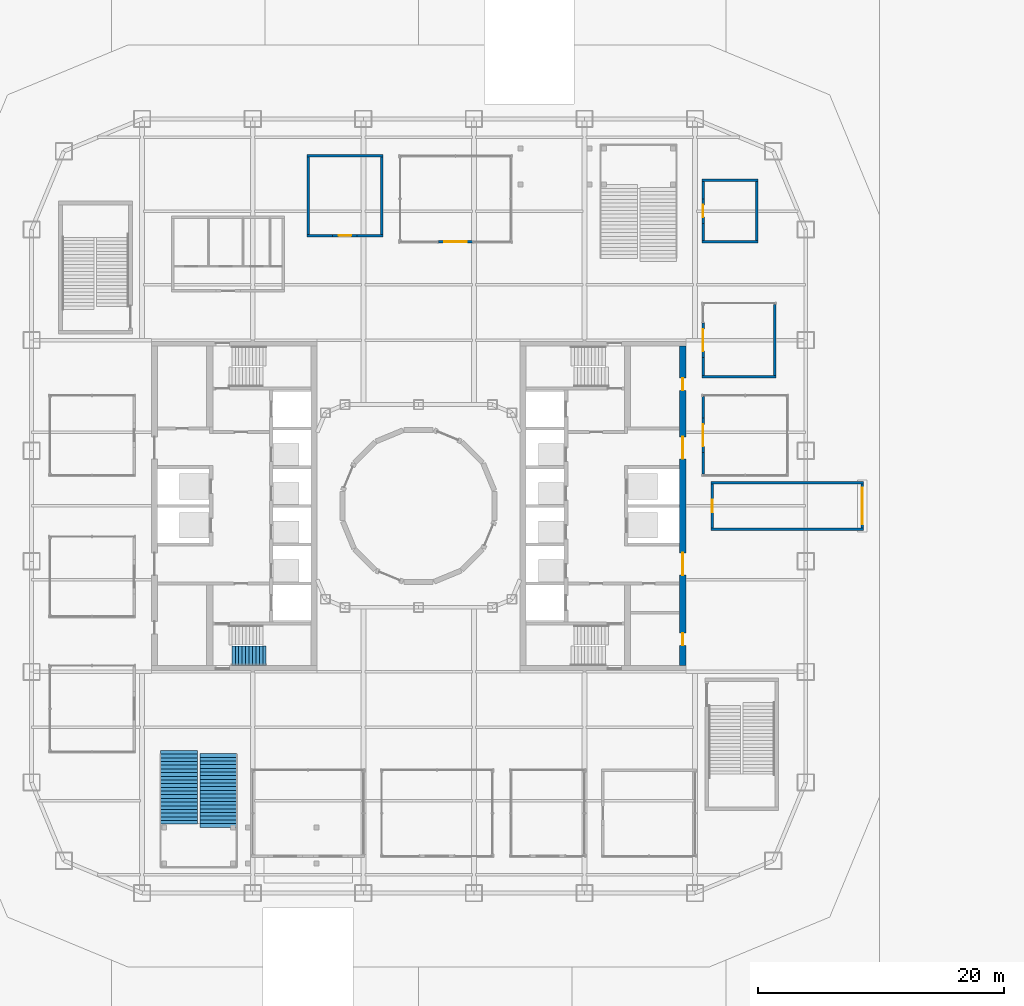
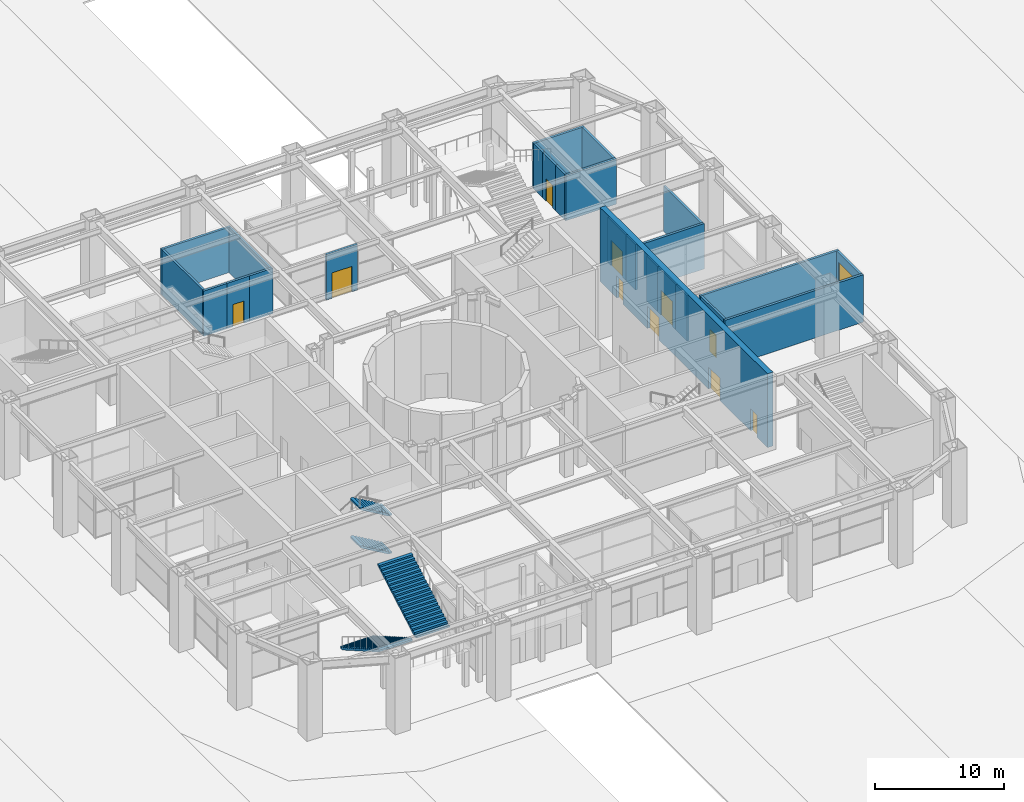
# One storey, part 16 of 20: 25 walls, 11 doors, 4 stair flights, 11 openings, 2 elements without a shape of their own.
"""IFC4 building model written with IfcOpenShell, lengths in metres."""

from ifc_helpers import new_model, si_unit, direction, frame, frame_2d, origin, place, context, subcontext, project, spatial, polyline, rectangle, outline, extrude, material, layer, layer_set, type_object, element, fill, aggregate, save


model = new_model("IFC4")

# Units and contexts
model_context = context("Model", 3, precision=1e-05, world=origin(), true_north=direction((0.0, 1.0)))
body_context = subcontext(model_context, "Body", "Model", "MODEL_VIEW")
ifc_project = project(units=[si_unit("LENGTHUNIT", "METRE"), si_unit("AREAUNIT", "SQUARE_METRE"), si_unit("VOLUMEUNIT", "CUBIC_METRE"), si_unit("PLANEANGLEUNIT", "RADIAN"), si_unit("MASSUNIT", "GRAM", prefix="KILO")], contexts=[model_context])

# Site, building, storey
site_placement = place(None, origin())
site = spatial("IfcSite", under=ifc_project, at=site_placement, CompositionType="ELEMENT")
building_placement = place(site_placement, origin())
building = spatial("IfcBuilding", under=site, at=building_placement, Name="Siwar Civic Tower", CompositionType="ELEMENT")
storey_placement = place(building_placement, origin())
storey = spatial("IfcBuildingStorey", under=building, at=storey_placement, Name="L00", CompositionType="ELEMENT", Elevation=0.0)

# Wall, openings, doors
ifc_material_1 = material(Name="Concrete C60/75", Category="concrete")
ifc_layer_1 = layer(ifc_material_1, 0.5)
ifc_layer_set_1 = layer_set([ifc_layer_1], Name="Concrete C60/75")
wall_type_1 = type_object("IfcWallType", Name="CORE-WALL-RC500-EXT", PredefinedType="SHEAR", material=ifc_layer_set_1)
wall_1_placement = place(storey_placement, frame((21.5, -13.0, 0.0), z_axis=(0.0, 0.0, 1.0), x_axis=(0.0, 1.0, 0.0)))
wall_1 = element("IfcWall", 1, at=wall_1_placement, inside=storey, type_object=wall_type_1, Name="Core wall E", PredefinedType="SHEAR", context=body_context, shape_type="SweptSolid", body=[
    extrude(rectangle(XDim=26.0, YDim=0.5, at=frame_2d((13.0, 0.0))), origin(), (0.0, 0.0, 1.0), 7.0),
])
opening_1_placement = place(wall_1_placement, frame((16.824951171875, 0.0, 0.0)))
opening_1 = element("IfcOpeningElement", 2, at=opening_1_placement, cuts=wall_1, Name="Opening L00-CE05", PredefinedType="OPENING", context=body_context, shape_type="SweptSolid", body=[
    extrude(rectangle(XDim=1.800048828125, YDim=2.10009765625, at=frame_2d((0.89990234375, 1.050048828125))), frame((0.0, 0.260009765625, 0.0), z_axis=(0.0, -1.0, 0.0), x_axis=(1.0, 0.0, 0.0)), (0.0, 0.0, 1.0), 0.52001953125),
])
opening_2_placement = place(wall_1_placement, frame((7.375, 0.0, 0.0)))
opening_2 = element("IfcOpeningElement", 3, at=opening_2_placement, cuts=wall_1, Name="Opening L00-CE06", PredefinedType="OPENING", context=body_context, shape_type="SweptSolid", body=[
    extrude(rectangle(XDim=1.800048828125, YDim=2.10009765625, at=frame_2d((0.89990234375, 1.050048828125))), frame((0.0, 0.260009765625, 0.0), z_axis=(0.0, -1.0, 0.0), x_axis=(1.0, 0.0, 0.0)), (0.0, 0.0, 1.0), 0.52001953125),
])
opening_3_placement = place(wall_1_placement, frame((22.39990234375, 0.0, 0.0)))
opening_3 = element("IfcOpeningElement", 4, at=opening_3_placement, cuts=wall_1, Name="Opening L00-CE17", PredefinedType="OPENING", context=body_context, shape_type="SweptSolid", body=[
    extrude(rectangle(XDim=1.0, YDim=2.10009765625, at=frame_2d((0.5, 1.050048828125))), frame((0.0, 0.260009765625, 0.0), z_axis=(0.0, -1.0, 0.0), x_axis=(1.0, 0.0, 0.0)), (0.0, 0.0, 1.0), 0.52001953125),
])
opening_4_placement = place(wall_1_placement, frame((1.64990234375, 0.0, 0.0)))
opening_4 = element("IfcOpeningElement", 5, at=opening_4_placement, cuts=wall_1, Name="Opening L00-CE19", PredefinedType="OPENING", context=body_context, shape_type="SweptSolid", body=[
    extrude(rectangle(XDim=1.0, YDim=2.10009765625, at=frame_2d((0.5, 1.050048828125))), frame((0.0, 0.260009765625, 0.0), z_axis=(0.0, -1.0, 0.0), x_axis=(1.0, 0.0, 0.0)), (0.0, 0.0, 1.0), 0.52001953125),
])
ifc_material_2 = material(Name="Steel door leaf", Category="steel")
door_type_1 = type_object("IfcDoorType", Name="CORE-DOOR-PORT-EXT", OperationType="DOUBLE_DOOR_DOUBLE_SWING", PredefinedType="DOOR", material=ifc_material_2)
door_1_placement = place(opening_1_placement, frame((1.800048828125, 0.0, 0.0), z_axis=(0.0, 0.0, 1.0), x_axis=(-1.0, 0.0, 0.0)))
door_1 = element("IfcDoor", 6, at=door_1_placement, inside=storey, type_object=door_type_1, Name="Main entrance L00-CE05", OperationType="DOUBLE_DOOR_DOUBLE_SWING", OverallHeight=2.10009765625, OverallWidth=1.800048828125, PredefinedType="DOOR", context=body_context, shape_type="SweptSolid", body=[
    extrude(rectangle(XDim=1.800048828125, YDim=2.10009765625, at=frame_2d((0.900146484375, 1.050048828125))), frame((0.0, 0.025146484375, 0.0), z_axis=(0.0, -1.0, 0.0), x_axis=(1.0, 0.0, 0.0)), (0.0, 0.0, 1.0), 0.050048828125),
])
fill(opening_1, door_1)
door_2_placement = place(opening_2_placement, frame((1.800048828125, 0.0, 0.0), z_axis=(0.0, 0.0, 1.0), x_axis=(-1.0, 0.0, 0.0)))
door_2 = element("IfcDoor", 7, at=door_2_placement, inside=storey, type_object=door_type_1, Name="Main entrance L00-CE06", OperationType="DOUBLE_DOOR_DOUBLE_SWING", OverallHeight=2.10009765625, OverallWidth=1.800048828125, PredefinedType="DOOR", context=body_context, shape_type="SweptSolid", body=[
    extrude(rectangle(XDim=1.800048828125, YDim=2.10009765625, at=frame_2d((0.900146484375, 1.050048828125))), frame((0.0, 0.025146484375, 0.0), z_axis=(0.0, -1.0, 0.0), x_axis=(1.0, 0.0, 0.0)), (0.0, 0.0, 1.0), 0.050048828125),
])
fill(opening_2, door_2)
ifc_material_3 = material(Name="Steel door leaf", Category="steel")
door_type_2 = type_object("IfcDoorType", Name="CORE-DOOR-ROOM-EXT", OperationType="SINGLE_SWING_LEFT", PredefinedType="DOOR", material=ifc_material_3)
door_3_placement = place(opening_3_placement, frame((1.0, 0.0, 0.0), z_axis=(0.0, 0.0, 1.0), x_axis=(-1.0, 0.0, 0.0)))
door_3 = element("IfcDoor", 8, at=door_3_placement, inside=storey, type_object=door_type_2, Name="Core room door L00-CE17", OperationType="SINGLE_SWING_RIGHT", OverallHeight=2.10009765625, OverallWidth=1.0, PredefinedType="DOOR", context=body_context, shape_type="SweptSolid", body=[
    extrude(rectangle(XDim=1.0, YDim=2.10009765625, at=frame_2d((0.5, 1.050048828125))), frame((0.0, 0.025146484375, 0.0), z_axis=(0.0, -1.0, 0.0), x_axis=(1.0, 0.0, 0.0)), (0.0, 0.0, 1.0), 0.050048828125),
])
fill(opening_3, door_3)
door_4_placement = place(opening_4_placement, frame((1.0, 0.0, 0.0), z_axis=(0.0, 0.0, 1.0), x_axis=(-1.0, 0.0, 0.0)))
door_4 = element("IfcDoor", 9, at=door_4_placement, inside=storey, type_object=door_type_2, Name="Core room door L00-CE19", OperationType="SINGLE_SWING_RIGHT", OverallHeight=2.10009765625, OverallWidth=1.0, PredefinedType="DOOR", context=body_context, shape_type="SweptSolid", body=[
    extrude(rectangle(XDim=1.0, YDim=2.10009765625, at=frame_2d((0.5, 1.050048828125))), frame((0.0, 0.025146484375, 0.0), z_axis=(0.0, -1.0, 0.0), x_axis=(1.0, 0.0, 0.0)), (0.0, 0.0, 1.0), 0.050048828125),
])
fill(opening_4, door_4)

# Walls
ifc_material_4 = material(Name="Insulated blockwork", Category="masonry")
ifc_layer_2 = layer(ifc_material_4, 0.199951171875)
ifc_layer_set_2 = layer_set([ifc_layer_2], Name="Insulated blockwork")
wall_type_2 = type_object("IfcWallType", Name="GND-DOCK-WALL", PredefinedType="SOLIDWALL", material=ifc_layer_set_2)
for number, where, z_axis, x_axis, name in (
    (10, (23.800048828125, 1.89990234375, 0.0), (0.0, 0.0, 1.0), (1.0, 0.0, 0.0), "L00/wall/dock-N"),
    (11, (23.800048828125, -1.89990234375, 0.0), (0.0, 0.0, 1.0), (1.0, 0.0, 0.0), "L00/wall/dock-S"),
):
    element("IfcWall", number, at=place(storey_placement, frame(where, z_axis=z_axis, x_axis=x_axis)), inside=storey, type_object=wall_type_2, Name=name, PredefinedType="SOLIDWALL", context=body_context, shape_type="SweptSolid", body=[
        extrude(rectangle(XDim=12.39990234375, YDim=0.199951171875, at=frame_2d((6.199951171875, 0.0))), origin(), (0.0, 0.0, 1.0), 4.5),
    ])

# Wall, opening, door
wall_2_placement = place(storey_placement, frame((23.89990234375, -1.800048828125, 0.0), z_axis=(0.0, 0.0, 1.0), x_axis=(0.0, 1.0, 0.0)))
wall_2 = element("IfcWall", 12, at=wall_2_placement, inside=storey, type_object=wall_type_2, Name="L00/wall/dock-W", PredefinedType="SOLIDWALL", context=body_context, shape_type="SweptSolid", body=[
    extrude(rectangle(XDim=3.60009765625, YDim=0.199951171875, at=frame_2d((1.800048828125, 0.0))), origin(), (0.0, 0.0, 1.0), 4.5),
])
opening_5_placement = place(wall_2_placement, frame((1.300048828125, 0.0, 0.0)))
opening_5 = element("IfcOpeningElement", 13, at=opening_5_placement, cuts=wall_2, Name="Opening GE7", PredefinedType="OPENING", context=body_context, shape_type="SweptSolid", body=[
    extrude(rectangle(XDim=1.0, YDim=2.10009765625, at=frame_2d((0.5, 1.050048828125))), frame((0.0, 0.10986328125, 0.0), z_axis=(0.0, -1.0, 0.0), x_axis=(1.0, 0.0, 0.0)), (0.0, 0.0, 1.0), 0.219970703125),
])
ifc_material_5 = material(Name="Steel", Category="steel")
door_type_3 = type_object("IfcDoorType", Name="GND-DOOR-EXT", OperationType="SINGLE_SWING_LEFT", PredefinedType="DOOR", material=ifc_material_5)
door_5_placement = place(opening_5_placement, origin())
door_5 = element("IfcDoor", 14, at=door_5_placement, inside=storey, type_object=door_type_3, Name="Goods door L00-D19", OperationType="SINGLE_SWING_RIGHT", OverallHeight=2.10009765625, OverallWidth=1.0, PredefinedType="DOOR", context=body_context, shape_type="SweptSolid", body=[
    extrude(rectangle(XDim=1.0, YDim=2.10009765625, at=frame_2d((0.5, 1.050048828125))), frame((0.0, 0.02490234375, 0.0), z_axis=(0.0, -1.0, 0.0), x_axis=(1.0, 0.0, 0.0)), (0.0, 0.0, 1.0), 0.050048828125),
])
fill(opening_5, door_5)

wall_3_placement = place(storey_placement, frame((36.10009765625, -1.800048828125, 0.0), z_axis=(0.0, 0.0, 1.0), x_axis=(0.0, 1.0, 0.0)))
wall_3 = element("IfcWall", 15, at=wall_3_placement, inside=storey, type_object=wall_type_2, Name="L00/wall/dock-E", PredefinedType="SOLIDWALL", context=body_context, shape_type="SweptSolid", body=[
    extrude(rectangle(XDim=3.60009765625, YDim=0.199951171875, at=frame_2d((1.800048828125, 0.0))), origin(), (0.0, 0.0, 1.0), 4.5),
])
opening_6_placement = place(wall_3_placement, frame((0.300048828125, 0.0, 0.0)))
opening_6 = element("IfcOpeningElement", 16, at=opening_6_placement, cuts=wall_3, Name="Opening GE8", PredefinedType="OPENING", context=body_context, shape_type="SweptSolid", body=[
    extrude(rectangle(XDim=3.0, YDim=3.60009765625, at=frame_2d((1.5, 1.800048828125))), frame((0.0, 0.10986328125, 0.0), z_axis=(0.0, -1.0, 0.0), x_axis=(1.0, 0.0, 0.0)), (0.0, 0.0, 1.0), 0.219970703125),
])
ifc_material_6 = material(Name="Galvanised steel", Category="steel")
door_type_4 = type_object("IfcDoorType", Name="GND-DOOR-DOCK", OperationType="ROLLINGUP", PredefinedType="DOOR", material=ifc_material_6)
door_6_placement = place(opening_6_placement, frame((3.0, 0.0, 0.0), z_axis=(0.0, 0.0, 1.0), x_axis=(-1.0, 0.0, 0.0)))
door_6 = element("IfcDoor", 17, at=door_6_placement, inside=storey, type_object=door_type_4, Name="Loading bay shutter L00-D20", OperationType="ROLLINGUP", OverallHeight=3.60009765625, OverallWidth=3.0, PredefinedType="DOOR", context=body_context, shape_type="SweptSolid", body=[
    extrude(rectangle(XDim=3.0, YDim=3.60009765625, at=frame_2d((1.5, 1.800048828125))), frame((0.0, 0.025146484375, 0.0), z_axis=(0.0, -1.0, 0.0), x_axis=(1.0, 0.0, 0.0)), (0.0, 0.0, 1.0), 0.050048828125),
])
fill(opening_6, door_6)

# Wall
ifc_material_7 = material(Name="Insulated blockwork", Category="masonry")
ifc_layer_3 = layer(ifc_material_7, 0.199951171875)
ifc_layer_set_3 = layer_set([ifc_layer_3], Name="Insulated blockwork")
wall_type_3 = type_object("IfcWallType", Name="GND-POD-WALL", PredefinedType="SOLIDWALL", material=ifc_layer_set_3)
wall_4_placement = place(storey_placement, frame((23.14990234375, 2.60009765625, 0.0), z_axis=(0.0, 0.0, 1.0), x_axis=(0.0, 1.0, 0.0)))
element("IfcWall", 18, at=wall_4_placement, inside=storey, type_object=wall_type_3, Name="L00/wall/P03-W4", PredefinedType="SOLIDWALL", context=body_context, shape_type="SweptSolid", body=[
    extrude(rectangle(XDim=1.75, YDim=0.199951171875, at=frame_2d((0.875, 0.0))), origin(), (0.0, 0.0, 1.0), 4.300048828125),
])

# Wall, opening, door
wall_5_placement = place(storey_placement, frame((23.14990234375, 4.35009765625, 0.0), z_axis=(0.0, 0.0, 1.0), x_axis=(0.0, 1.0, 0.0)))
wall_5 = element("IfcWall", 19, at=wall_5_placement, inside=storey, type_object=wall_type_3, Name="L00/wall/P03-W5", PredefinedType="SOLIDWALL", context=body_context, shape_type="SweptSolid", body=[
    extrude(rectangle(XDim=2.7998046875, YDim=0.199951171875, at=frame_2d((1.39990234375, 0.0))), origin(), (0.0, 0.0, 1.0), 4.300048828125),
])
opening_7_placement = place(wall_5_placement, frame((0.5, 0.0, 0.0)))
opening_7 = element("IfcOpeningElement", 20, at=opening_7_placement, cuts=wall_5, Name="Opening GE1", PredefinedType="OPENING", context=body_context, shape_type="SweptSolid", body=[
    extrude(rectangle(XDim=1.800048828125, YDim=2.39990234375, at=frame_2d((0.89990234375, 1.199951171875))), frame((0.0, 0.10986328125, 0.0), z_axis=(0.0, -1.0, 0.0), x_axis=(1.0, 0.0, 0.0)), (0.0, 0.0, 1.0), 0.219970703125),
])
ifc_material_8 = material(Name="Aluminium and glass", Category="aluminium")
door_type_5 = type_object("IfcDoorType", Name="GND-DOOR-ENT", OperationType="DOUBLE_DOOR_SINGLE_SWING", PredefinedType="DOOR", material=ifc_material_8)
door_7_placement = place(opening_7_placement, origin())
door_7 = element("IfcDoor", 21, at=door_7_placement, inside=storey, type_object=door_type_5, Name="Entrance Security screening hall", OperationType="DOUBLE_DOOR_SINGLE_SWING", OverallHeight=2.39990234375, OverallWidth=1.800048828125, PredefinedType="DOOR", context=body_context, shape_type="SweptSolid", body=[
    extrude(rectangle(XDim=1.800048828125, YDim=2.39990234375, at=frame_2d((0.89990234375, 1.199951171875))), frame((0.0, 0.02490234375, 0.0), z_axis=(0.0, -1.0, 0.0), x_axis=(1.0, 0.0, 0.0)), (0.0, 0.0, 1.0), 0.050048828125),
])
fill(opening_7, door_7)

# Wall
wall_6_placement = place(storey_placement, frame((23.14990234375, 7.14990234375, 0.0), z_axis=(0.0, 0.0, 1.0), x_axis=(0.0, 1.0, 0.0)))
element("IfcWall", 22, at=wall_6_placement, inside=storey, type_object=wall_type_3, Name="L00/wall/P03-W6", PredefinedType="SOLIDWALL", context=body_context, shape_type="SweptSolid", body=[
    extrude(rectangle(XDim=1.75, YDim=0.199951171875, at=frame_2d((0.875, 0.0))), origin(), (0.0, 0.0, 1.0), 4.300048828125),
])

# Wall, opening, door
wall_7_placement = place(storey_placement, frame((1.60009765625, 21.5, 0.0), z_axis=(0.0, 0.0, 1.0), x_axis=(1.0, 0.0, 0.0)))
wall_7 = element("IfcWall", 23, at=wall_7_placement, inside=storey, type_object=wall_type_3, Name="L00/wall/P07-S2", PredefinedType="SOLIDWALL", context=body_context, shape_type="SweptSolid", body=[
    extrude(rectangle(XDim=2.7998046875, YDim=0.199951171875, at=frame_2d((1.39990234375, 0.0))), origin(), (0.0, 0.0, 1.0), 4.300048828125),
])
opening_8_placement = place(wall_7_placement, frame((0.5, 0.0, 0.0)))
opening_8 = element("IfcOpeningElement", 24, at=opening_8_placement, cuts=wall_7, Name="Opening GE1", PredefinedType="OPENING", context=body_context, shape_type="SweptSolid", body=[
    extrude(rectangle(XDim=1.800048828125, YDim=2.39990234375, at=frame_2d((0.89990234375, 1.199951171875))), frame((0.0, 0.10986328125, 0.0), z_axis=(0.0, -1.0, 0.0), x_axis=(1.0, 0.0, 0.0)), (0.0, 0.0, 1.0), 0.219970703125),
])
door_8_placement = place(opening_8_placement, frame((1.800048828125, 0.0, 0.0), z_axis=(0.0, 0.0, 1.0), x_axis=(-1.0, 0.0, 0.0)))
door_8 = element("IfcDoor", 25, at=door_8_placement, inside=storey, type_object=door_type_5, Name="Entrance Ministry reception", OperationType="DOUBLE_DOOR_SINGLE_SWING", OverallHeight=2.39990234375, OverallWidth=1.800048828125, PredefinedType="DOOR", context=body_context, shape_type="SweptSolid", body=[
    extrude(rectangle(XDim=1.800048828125, YDim=2.39990234375, at=frame_2d((0.900146484375, 1.199951171875))), frame((0.0, 0.025146484375, 0.0), z_axis=(0.0, -1.0, 0.0), x_axis=(1.0, 0.0, 0.0)), (0.0, 0.0, 1.0), 0.050048828125),
])
fill(opening_8, door_8)

# Walls
wall_8_placement = place(storey_placement, frame((23.050048828125, 10.5, 0.0), z_axis=(0.0, 0.0, 1.0), x_axis=(1.0, 0.0, 0.0)))
element("IfcWall", 26, at=wall_8_placement, inside=storey, type_object=wall_type_3, Name="L00/wall/P08-S1", PredefinedType="SOLIDWALL", context=body_context, shape_type="SweptSolid", body=[
    extrude(rectangle(XDim=6.050048828125, YDim=0.199951171875, at=frame_2d((3.02490234375, 0.0))), origin(), (0.0, 0.0, 1.0), 4.300048828125),
])
wall_9_placement = place(storey_placement, frame((29.0, 10.60009765625, 0.0), z_axis=(0.0, 0.0, 1.0), x_axis=(0.0, 1.0, 0.0)))
element("IfcWall", 27, at=wall_9_placement, inside=storey, type_object=wall_type_3, Name="L00/wall/P08-E2", PredefinedType="SOLIDWALL", context=body_context, shape_type="SweptSolid", body=[
    extrude(rectangle(XDim=5.7998046875, YDim=0.199951171875, at=frame_2d((2.89990234375, 0.0))), origin(), (0.0, 0.0, 1.0), 4.300048828125),
])
wall_10_placement = place(storey_placement, frame((23.14990234375, 10.60009765625, 0.0), z_axis=(0.0, 0.0, 1.0), x_axis=(0.0, 1.0, 0.0)))
element("IfcWall", 28, at=wall_10_placement, inside=storey, type_object=wall_type_3, Name="L00/wall/P08-W4", PredefinedType="SOLIDWALL", context=body_context, shape_type="SweptSolid", body=[
    extrude(rectangle(XDim=1.5, YDim=0.199951171875, at=frame_2d((0.75, 0.0))), origin(), (0.0, 0.0, 1.0), 4.300048828125),
])

# Wall, opening, door
wall_11_placement = place(storey_placement, frame((23.14990234375, 12.10009765625, 0.0), z_axis=(0.0, 0.0, 1.0), x_axis=(0.0, 1.0, 0.0)))
wall_11 = element("IfcWall", 29, at=wall_11_placement, inside=storey, type_object=wall_type_3, Name="L00/wall/P08-W5", PredefinedType="SOLIDWALL", context=body_context, shape_type="SweptSolid", body=[
    extrude(rectangle(XDim=2.7998046875, YDim=0.199951171875, at=frame_2d((1.39990234375, 0.0))), origin(), (0.0, 0.0, 1.0), 4.300048828125),
])
opening_9_placement = place(wall_11_placement, frame((0.5, 0.0, 0.0)))
opening_9 = element("IfcOpeningElement", 30, at=opening_9_placement, cuts=wall_11, Name="Opening GE1", PredefinedType="OPENING", context=body_context, shape_type="SweptSolid", body=[
    extrude(rectangle(XDim=1.800048828125, YDim=2.39990234375, at=frame_2d((0.89990234375, 1.199951171875))), frame((0.0, 0.10986328125, 0.0), z_axis=(0.0, -1.0, 0.0), x_axis=(1.0, 0.0, 0.0)), (0.0, 0.0, 1.0), 0.219970703125),
])
door_9_placement = place(opening_9_placement, origin())
door_9 = element("IfcDoor", 31, at=door_9_placement, inside=storey, type_object=door_type_5, Name="Entrance Bicycle store", OperationType="DOUBLE_DOOR_SINGLE_SWING", OverallHeight=2.39990234375, OverallWidth=1.800048828125, PredefinedType="DOOR", context=body_context, shape_type="SweptSolid", body=[
    extrude(rectangle(XDim=1.800048828125, YDim=2.39990234375, at=frame_2d((0.89990234375, 1.199951171875))), frame((0.0, 0.02490234375, 0.0), z_axis=(0.0, -1.0, 0.0), x_axis=(1.0, 0.0, 0.0)), (0.0, 0.0, 1.0), 0.050048828125),
])
fill(opening_9, door_9)

# Wall
wall_12_placement = place(storey_placement, frame((-9.10009765625, 22.0, 0.0), z_axis=(0.0, 0.0, 1.0), x_axis=(1.0, 0.0, 0.0)))
element("IfcWall", 32, at=wall_12_placement, inside=storey, type_object=wall_type_3, Name="L00/wall/P10-S1", PredefinedType="SOLIDWALL", context=body_context, shape_type="SweptSolid", body=[
    extrude(rectangle(XDim=2.10009765625, YDim=0.199951171875, at=frame_2d((1.050048828125, 0.0))), origin(), (0.0, 0.0, 1.0), 4.300048828125),
])

# Wall, opening, door
wall_13_placement = place(storey_placement, frame((-7.0, 22.0, 0.0), z_axis=(0.0, 0.0, 1.0), x_axis=(1.0, 0.0, 0.0)))
wall_13 = element("IfcWall", 33, at=wall_13_placement, inside=storey, type_object=wall_type_3, Name="L00/wall/P10-S2", PredefinedType="SOLIDWALL", context=body_context, shape_type="SweptSolid", body=[
    extrude(rectangle(XDim=2.0, YDim=0.199951171875, at=frame_2d((1.0, 0.0))), origin(), (0.0, 0.0, 1.0), 4.300048828125),
])
opening_10_placement = place(wall_13_placement, frame((0.5, 0.0, 0.0)))
opening_10 = element("IfcOpeningElement", 34, at=opening_10_placement, cuts=wall_13, Name="Opening GE2", PredefinedType="OPENING", context=body_context, shape_type="SweptSolid", body=[
    extrude(rectangle(XDim=1.0, YDim=2.10009765625, at=frame_2d((0.5, 1.050048828125))), frame((0.0, 0.10986328125, 0.0), z_axis=(0.0, -1.0, 0.0), x_axis=(1.0, 0.0, 0.0)), (0.0, 0.0, 1.0), 0.219970703125),
])
ifc_material_9 = material(Name="Steel", Category="steel")
door_type_6 = type_object("IfcDoorType", Name="GND-DOOR-SVC", OperationType="SINGLE_SWING_LEFT", PredefinedType="DOOR", material=ifc_material_9)
door_10_placement = place(opening_10_placement, frame((1.0, 0.0, 0.0), z_axis=(0.0, 0.0, 1.0), x_axis=(-1.0, 0.0, 0.0)))
door_10 = element("IfcDoor", 35, at=door_10_placement, inside=storey, type_object=door_type_6, Name="Entrance Switchgear room", OperationType="SINGLE_SWING_LEFT", OverallHeight=2.10009765625, OverallWidth=1.0, PredefinedType="DOOR", context=body_context, shape_type="SweptSolid", body=[
    extrude(rectangle(XDim=1.0, YDim=2.10009765625, at=frame_2d((0.5, 1.050048828125))), frame((0.0, 0.025146484375, 0.0), z_axis=(0.0, -1.0, 0.0), x_axis=(1.0, 0.0, 0.0)), (0.0, 0.0, 1.0), 0.050048828125),
])
fill(opening_10, door_10)

# Walls
wall_14_placement = place(storey_placement, frame((-5.0, 22.0, 0.0), z_axis=(0.0, 0.0, 1.0), x_axis=(1.0, 0.0, 0.0)))
element("IfcWall", 36, at=wall_14_placement, inside=storey, type_object=wall_type_3, Name="L00/wall/P10-S3", PredefinedType="SOLIDWALL", context=body_context, shape_type="SweptSolid", body=[
    extrude(rectangle(XDim=2.10009765625, YDim=0.199951171875, at=frame_2d((1.050048828125, 0.0))), origin(), (0.0, 0.0, 1.0), 4.300048828125),
])
wall_15_placement = place(storey_placement, frame((-3.0, 22.10009765625, 0.0), z_axis=(0.0, 0.0, 1.0), x_axis=(0.0, 1.0, 0.0)))
element("IfcWall", 37, at=wall_15_placement, inside=storey, type_object=wall_type_3, Name="L00/wall/P10-E4", PredefinedType="SOLIDWALL", context=body_context, shape_type="SweptSolid", body=[
    extrude(rectangle(XDim=6.2998046875, YDim=0.199951171875, at=frame_2d((3.14990234375, 0.0))), origin(), (0.0, 0.0, 1.0), 4.300048828125),
])
wall_16_placement = place(storey_placement, frame((-9.10009765625, 28.5, 0.0), z_axis=(0.0, 0.0, 1.0), x_axis=(1.0, 0.0, 0.0)))
element("IfcWall", 38, at=wall_16_placement, inside=storey, type_object=wall_type_3, Name="L00/wall/P10-N5", PredefinedType="SOLIDWALL", context=body_context, shape_type="SweptSolid", body=[
    extrude(rectangle(XDim=6.2001953125, YDim=0.199951171875, at=frame_2d((3.10009765625, 0.0))), origin(), (0.0, 0.0, 1.0), 4.300048828125),
])
wall_17_placement = place(storey_placement, frame((-9.0, 22.10009765625, 0.0), z_axis=(0.0, 0.0, 1.0), x_axis=(0.0, 1.0, 0.0)))
element("IfcWall", 39, at=wall_17_placement, inside=storey, type_object=wall_type_3, Name="L00/wall/P10-W6", PredefinedType="SOLIDWALL", context=body_context, shape_type="SweptSolid", body=[
    extrude(rectangle(XDim=6.2998046875, YDim=0.199951171875, at=frame_2d((3.14990234375, 0.0))), origin(), (0.0, 0.0, 1.0), 4.300048828125),
])
wall_18_placement = place(storey_placement, frame((23.050048828125, 21.5, 0.0), z_axis=(0.0, 0.0, 1.0), x_axis=(1.0, 0.0, 0.0)))
element("IfcWall", 40, at=wall_18_placement, inside=storey, type_object=wall_type_3, Name="L00/wall/P13-S1", PredefinedType="SOLIDWALL", context=body_context, shape_type="SweptSolid", body=[
    extrude(rectangle(XDim=4.550048828125, YDim=0.199951171875, at=frame_2d((2.27490234375, 0.0))), origin(), (0.0, 0.0, 1.0), 4.300048828125),
])
wall_19_placement = place(storey_placement, frame((27.5, 21.60009765625, 0.0), z_axis=(0.0, 0.0, 1.0), x_axis=(0.0, 1.0, 0.0)))
element("IfcWall", 41, at=wall_19_placement, inside=storey, type_object=wall_type_3, Name="L00/wall/P13-E2", PredefinedType="SOLIDWALL", context=body_context, shape_type="SweptSolid", body=[
    extrude(rectangle(XDim=4.7998046875, YDim=0.199951171875, at=frame_2d((2.39990234375, 0.0))), origin(), (0.0, 0.0, 1.0), 4.300048828125),
])
wall_20_placement = place(storey_placement, frame((23.050048828125, 26.5, 0.0), z_axis=(0.0, 0.0, 1.0), x_axis=(1.0, 0.0, 0.0)))
element("IfcWall", 42, at=wall_20_placement, inside=storey, type_object=wall_type_3, Name="L00/wall/P13-N3", PredefinedType="SOLIDWALL", context=body_context, shape_type="SweptSolid", body=[
    extrude(rectangle(XDim=4.550048828125, YDim=0.199951171875, at=frame_2d((2.27490234375, 0.0))), origin(), (0.0, 0.0, 1.0), 4.300048828125),
])
wall_21_placement = place(storey_placement, frame((23.14990234375, 21.60009765625, 0.0), z_axis=(0.0, 0.0, 1.0), x_axis=(0.0, 1.0, 0.0)))
element("IfcWall", 43, at=wall_21_placement, inside=storey, type_object=wall_type_3, Name="L00/wall/P13-W4", PredefinedType="SOLIDWALL", context=body_context, shape_type="SweptSolid", body=[
    extrude(rectangle(XDim=1.39990234375, YDim=0.199951171875, at=frame_2d((0.699951171875, 0.0))), origin(), (0.0, 0.0, 1.0), 4.300048828125),
])

# Wall, opening, door
wall_22_placement = place(storey_placement, frame((23.14990234375, 23.0, 0.0), z_axis=(0.0, 0.0, 1.0), x_axis=(0.0, 1.0, 0.0)))
wall_22 = element("IfcWall", 44, at=wall_22_placement, inside=storey, type_object=wall_type_3, Name="L00/wall/P13-W5", PredefinedType="SOLIDWALL", context=body_context, shape_type="SweptSolid", body=[
    extrude(rectangle(XDim=2.0, YDim=0.199951171875, at=frame_2d((1.0, 0.0))), origin(), (0.0, 0.0, 1.0), 4.300048828125),
])
opening_11_placement = place(wall_22_placement, frame((0.5, 0.0, 0.0)))
opening_11 = element("IfcOpeningElement", 45, at=opening_11_placement, cuts=wall_22, Name="Opening GE2", PredefinedType="OPENING", context=body_context, shape_type="SweptSolid", body=[
    extrude(rectangle(XDim=1.0, YDim=2.10009765625, at=frame_2d((0.5, 1.050048828125))), frame((0.0, 0.10986328125, 0.0), z_axis=(0.0, -1.0, 0.0), x_axis=(1.0, 0.0, 0.0)), (0.0, 0.0, 1.0), 0.219970703125),
])
door_11_placement = place(opening_11_placement, origin())
door_11 = element("IfcDoor", 46, at=door_11_placement, inside=storey, type_object=door_type_6, Name="Entrance Refuse store", OperationType="SINGLE_SWING_RIGHT", OverallHeight=2.10009765625, OverallWidth=1.0, PredefinedType="DOOR", context=body_context, shape_type="SweptSolid", body=[
    extrude(rectangle(XDim=1.0, YDim=2.10009765625, at=frame_2d((0.5, 1.050048828125))), frame((0.0, 0.02490234375, 0.0), z_axis=(0.0, -1.0, 0.0), x_axis=(1.0, 0.0, 0.0)), (0.0, 0.0, 1.0), 0.050048828125),
])
fill(opening_11, door_11)

# Wall
wall_23_placement = place(storey_placement, frame((23.14990234375, 25.0, 0.0), z_axis=(0.0, 0.0, 1.0), x_axis=(0.0, 1.0, 0.0)))
element("IfcWall", 47, at=wall_23_placement, inside=storey, type_object=wall_type_3, Name="L00/wall/P13-W6", PredefinedType="SOLIDWALL", context=body_context, shape_type="SweptSolid", body=[
    extrude(rectangle(XDim=1.39990234375, YDim=0.199951171875, at=frame_2d((0.699951171875, 0.0))), origin(), (0.0, 0.0, 1.0), 4.300048828125),
])

# Stair, stair flights
ifc_material_10 = material(Name="Concrete C40/50", Category="concrete")
stair_type_1 = type_object("IfcStairType", Name="CORE-STAIR", PredefinedType="TWO_STRAIGHT_RUN_STAIR", material=ifc_material_10)
stair_1_placement = place(storey_placement, origin())
stair_1 = element("IfcStair", 48, at=stair_1_placement, inside=storey, type_object=stair_type_1, Name="Exit stair ST2", PredefinedType="TWO_STRAIGHT_RUN_STAIR")
ifc_material_11 = material(Name="Concrete C40/50", Category="concrete")
stair_flight_type_1 = type_object("IfcStairFlightType", Name="CORE-STAIR-FLIGHT", PredefinedType="STRAIGHT", material=ifc_material_11)
stair_flight_1_placement = place(storey_placement, frame((-12.39990234375, -12.199951171875, 1.800048828125), z_axis=(0.0, 0.0, 1.0), x_axis=(-1.0, 0.0, 0.0)))
stair_flight_1 = element("IfcStairFlight", 49, at=stair_flight_1_placement, type_object=stair_flight_type_1, Name="ST2 flight 2", NumberOfRisers=11, NumberOfTreads=10, PredefinedType="STRAIGHT", RiserHeight=0.163636364, TreadLength=0.28, context=body_context, shape_type="SweptSolid", body=[
    extrude(outline(polyline([(0.0, 0.0), (0.0, 0.16357421875), (0.280029296875, 0.16357421875), (0.280029296875, 0.327392578125), (0.56005859375, 0.327392578125), (0.56005859375, 0.490966796875), (0.840087890625, 0.490966796875), (0.840087890625, 0.654541015625), (1.1201171875, 0.654541015625), (1.1201171875, 0.818115234375), (1.39990234375, 0.818115234375), (1.39990234375, 0.98193359375), (1.679931640625, 0.98193359375), (1.679931640625, 1.1455078125), (1.9599609375, 1.1455078125), (1.9599609375, 1.30908203125), (2.239990234375, 1.30908203125), (2.239990234375, 1.47265625), (2.52001953125, 1.47265625), (2.52001953125, 1.636474609375), (2.800048828125, 1.636474609375), (2.800048828125, 1.800048828125), (2.800048828125, 1.462646484375), (0.297119140625, 0.0), (0.0, 0.0)])), frame((0.0, 0.800048828125, 0.0), z_axis=(0.0, -1.0, 0.0), x_axis=(1.0, 0.0, 0.0)), (0.0, 0.0, 1.0), 1.60009765625),
])
stair_flight_2_placement = place(storey_placement, frame((-12.39990234375, -12.199951171875, 5.39990234375), z_axis=(0.0, 0.0, 1.0), x_axis=(-1.0, 0.0, 0.0)))
stair_flight_2 = element("IfcStairFlight", 50, at=stair_flight_2_placement, type_object=stair_flight_type_1, Name="ST2 flight 4", NumberOfRisers=11, NumberOfTreads=10, PredefinedType="STRAIGHT", RiserHeight=0.163636364, TreadLength=0.28, context=body_context, shape_type="SweptSolid", body=[
    extrude(outline(polyline([(0.0, 0.0), (0.0, 0.16357421875), (0.280029296875, 0.16357421875), (0.280029296875, 0.327392578125), (0.56005859375, 0.327392578125), (0.56005859375, 0.490966796875), (0.840087890625, 0.490966796875), (0.840087890625, 0.654541015625), (1.1201171875, 0.654541015625), (1.1201171875, 0.818115234375), (1.39990234375, 0.818115234375), (1.39990234375, 0.98193359375), (1.679931640625, 0.98193359375), (1.679931640625, 1.1455078125), (1.9599609375, 1.1455078125), (1.9599609375, 1.30908203125), (2.239990234375, 1.30908203125), (2.239990234375, 1.47265625), (2.52001953125, 1.47265625), (2.52001953125, 1.636474609375), (2.800048828125, 1.636474609375), (2.800048828125, 1.800048828125), (2.800048828125, 1.462646484375), (0.297119140625, 0.0), (0.0, 0.0)])), frame((0.0, 0.800048828125, 0.0), z_axis=(0.0, -1.0, 0.0), x_axis=(1.0, 0.0, 0.0)), (0.0, 0.0, 1.0), 1.60009765625),
])
aggregate(stair_1, [stair_flight_1, stair_flight_2])

ifc_material_12 = material(Name="Concrete C40/50", Category="concrete")
stair_type_2 = type_object("IfcStairType", Name="GND-GS-STAIR", PredefinedType="TWO_STRAIGHT_RUN_STAIR", material=ifc_material_12)
stair_2_placement = place(storey_placement, origin())
stair_2 = element("IfcStair", 51, at=stair_2_placement, inside=storey, type_object=stair_type_2, Name="Grand stair 1", PredefinedType="TWO_STRAIGHT_RUN_STAIR")
ifc_material_13 = material(Name="Concrete C40/50", Category="concrete")
stair_flight_type_2 = type_object("IfcStairFlightType", Name="GND-GS-FLIGHT", PredefinedType="STRAIGHT", material=ifc_material_13)
stair_flight_3_placement = place(storey_placement, frame((-19.5, -19.89990234375, 0.0), z_axis=(0.0, 0.0, 1.0), x_axis=(0.0, -1.0, 0.0)))
stair_flight_3 = element("IfcStairFlight", 52, at=stair_flight_3_placement, type_object=stair_flight_type_2, Name="GS1 flight 1", NumberOfRisers=21, NumberOfTreads=20, PredefinedType="STRAIGHT", RiserHeight=0.171429, TreadLength=0.3, context=body_context, shape_type="SweptSolid", body=[
    extrude(outline(polyline([(0.0, 0.0), (0.0, 0.17138671875), (0.300048828125, 0.17138671875), (0.300048828125, 0.3427734375), (0.60009765625, 0.3427734375), (0.60009765625, 0.514404296875), (0.89990234375, 0.514404296875), (0.89990234375, 0.685791015625), (1.199951171875, 0.685791015625), (1.199951171875, 0.857177734375), (1.5, 0.857177734375), (1.5, 1.028564453125), (1.800048828125, 1.028564453125), (1.800048828125, 1.199951171875), (2.10009765625, 1.199951171875), (2.10009765625, 1.371337890625), (2.39990234375, 1.371337890625), (2.39990234375, 1.54296875), (2.699951171875, 1.54296875), (2.699951171875, 1.71435546875), (3.0, 1.71435546875), (3.0, 1.8857421875), (3.300048828125, 1.8857421875), (3.300048828125, 2.05712890625), (3.60009765625, 2.05712890625), (3.60009765625, 2.228515625), (3.89990234375, 2.228515625), (3.89990234375, 2.39990234375), (4.199951171875, 2.39990234375), (4.199951171875, 2.571533203125), (4.5, 2.571533203125), (4.5, 2.742919921875), (4.800048828125, 2.742919921875), (4.800048828125, 2.914306640625), (5.10009765625, 2.914306640625), (5.10009765625, 3.085693359375), (5.39990234375, 3.085693359375), (5.39990234375, 3.257080078125), (5.699951171875, 3.257080078125), (5.699951171875, 3.428466796875), (6.0, 3.428466796875), (6.0, 3.60009765625), (6.0, 3.255859375), (0.30224609375, 0.0), (0.0, 0.0)])), frame((0.0, 1.5, 0.0), z_axis=(0.0, -1.0, 0.0), x_axis=(1.0, 0.0, 0.0)), (0.0, 0.0, 1.0), 3.0),
])
stair_flight_4_placement = place(storey_placement, frame((-16.300048828125, -26.14990234375, 3.60009765625), z_axis=(0.0, 0.0, 1.0), x_axis=(0.0, 1.0, 0.0)))
stair_flight_4 = element("IfcStairFlight", 53, at=stair_flight_4_placement, type_object=stair_flight_type_2, Name="GS1 flight 2", NumberOfRisers=21, NumberOfTreads=20, PredefinedType="STRAIGHT", RiserHeight=0.171429, TreadLength=0.3, context=body_context, shape_type="SweptSolid", body=[
    extrude(outline(polyline([(0.0, 0.0), (0.0, 0.17138671875), (0.300048828125, 0.17138671875), (0.300048828125, 0.3427734375), (0.60009765625, 0.3427734375), (0.60009765625, 0.514404296875), (0.89990234375, 0.514404296875), (0.89990234375, 0.685791015625), (1.199951171875, 0.685791015625), (1.199951171875, 0.857177734375), (1.5, 0.857177734375), (1.5, 1.028564453125), (1.800048828125, 1.028564453125), (1.800048828125, 1.199951171875), (2.10009765625, 1.199951171875), (2.10009765625, 1.371337890625), (2.39990234375, 1.371337890625), (2.39990234375, 1.54296875), (2.699951171875, 1.54296875), (2.699951171875, 1.71435546875), (3.0, 1.71435546875), (3.0, 1.8857421875), (3.300048828125, 1.8857421875), (3.300048828125, 2.05712890625), (3.60009765625, 2.05712890625), (3.60009765625, 2.228515625), (3.89990234375, 2.228515625), (3.89990234375, 2.39990234375), (4.199951171875, 2.39990234375), (4.199951171875, 2.571533203125), (4.5, 2.571533203125), (4.5, 2.742919921875), (4.800048828125, 2.742919921875), (4.800048828125, 2.914306640625), (5.10009765625, 2.914306640625), (5.10009765625, 3.085693359375), (5.39990234375, 3.085693359375), (5.39990234375, 3.257080078125), (5.699951171875, 3.257080078125), (5.699951171875, 3.428466796875), (6.0, 3.428466796875), (6.0, 3.60009765625), (6.0, 3.255859375), (0.30224609375, 0.0), (0.0, 0.0)])), frame((0.0, 1.5, 0.0), z_axis=(0.0, -1.0, 0.0), x_axis=(1.0, 0.0, 0.0)), (0.0, 0.0, 1.0), 3.0),
])
aggregate(stair_2, [stair_flight_3, stair_flight_4])

save(model, "model.ifc")
